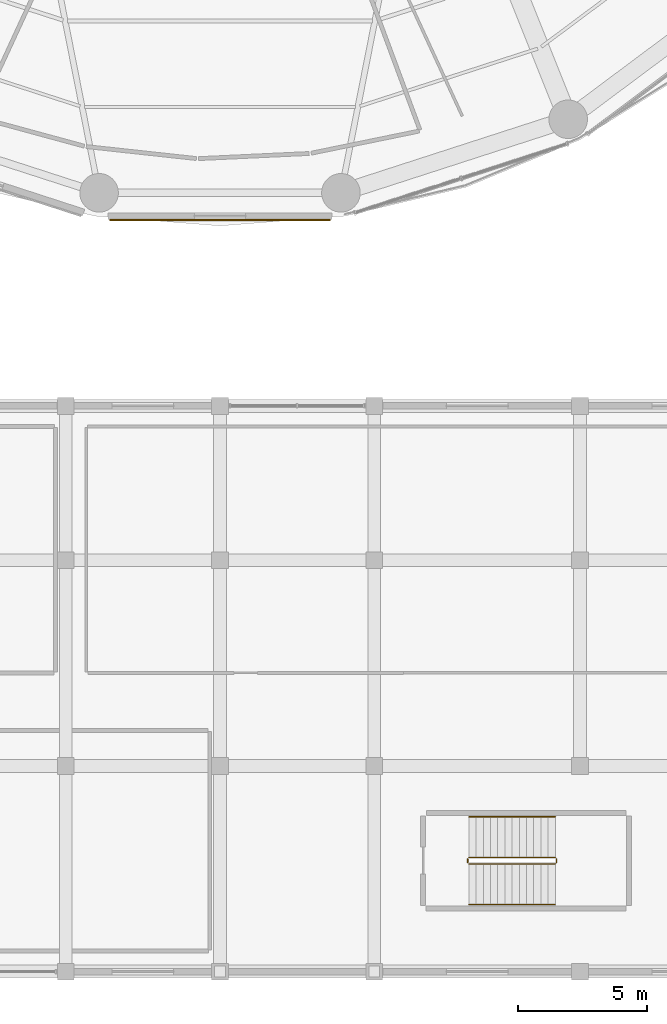
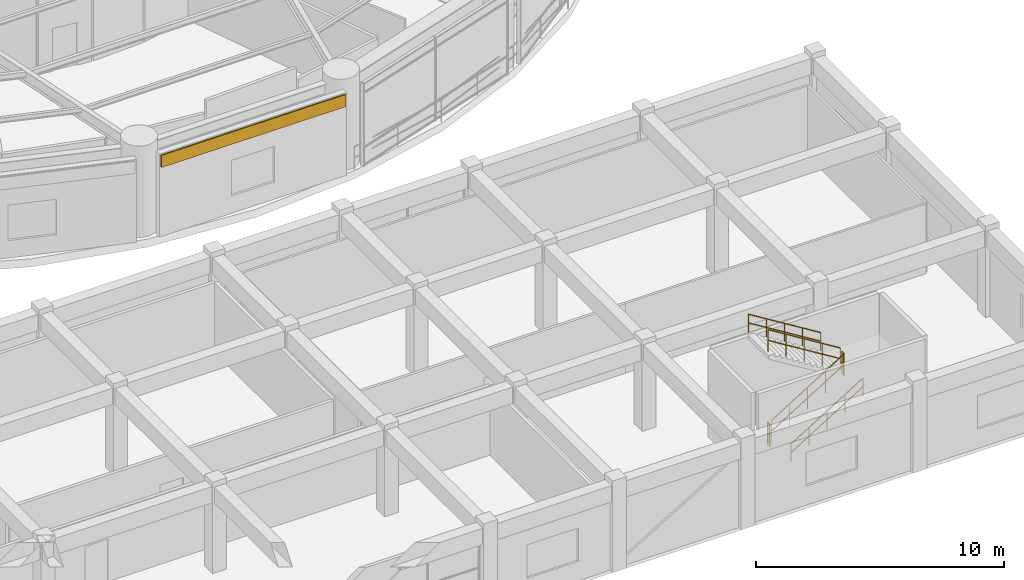
# One storey, part 48 of 52: 6 railings, 1 covering.
"""IFC4 building model written with IfcOpenShell, lengths in metres."""

from ifc_helpers import new_model, si_unit, direction, frame, origin, origin_2d, place, context, subcontext, project, spatial, polyline, rectangle, outline, extrude, source, transform, mapped, material, layer, layer_set, type_object, element, save


model = new_model("IFC4")

# Units and contexts
model_context = context("Model", 3, precision=1e-05, world=origin(), true_north=direction((0.0, 1.0)))
body_context = subcontext(model_context, "Body", "Model", "MODEL_VIEW")
ifc_project = project(units=[si_unit("LENGTHUNIT", "METRE"), si_unit("AREAUNIT", "SQUARE_METRE"), si_unit("VOLUMEUNIT", "CUBIC_METRE"), si_unit("PLANEANGLEUNIT", "RADIAN"), si_unit("MASSUNIT", "GRAM", prefix="KILO")], contexts=[model_context])

# Site, building, storey
site_placement = place(None, origin())
site = spatial("IfcSite", under=ifc_project, at=site_placement, CompositionType="ELEMENT")
building_placement = place(site_placement, origin())
building = spatial("IfcBuilding", under=site, at=building_placement, Name="Kelanora Arch Commons", CompositionType="ELEMENT")
storey_placement = place(building_placement, frame((0.0, 0.0, 13.5)))
storey = spatial("IfcBuildingStorey", under=building, at=storey_placement, Name="L03", CompositionType="ELEMENT", Elevation=13.5)

# Railings
ifc_material_1 = material(Name="Painted steel stair well guard", Category="steel")
railing_type_1 = type_object("IfcRailingType", Name="RAIL-STAIR-GRD", PredefinedType="GUARDRAIL", material=ifc_material_1)
railing_1_placement = place(storey_placement, frame((83.679931640625, 8.18994140625, 0.173095703125)))
element("IfcRailing", 1, at=railing_1_placement, inside=storey, type_object=railing_type_1, Name="L03 ST-M2 stair guard 1", PredefinedType="GUARDRAIL", context=body_context, shape_type="SweptSolid", body=[
    extrude(outline(polyline([(0.02392578125, 0.0), (0.011962890625, 0.020751953125), (-0.011962890625, 0.020751953125), (-0.02392578125, 0.0), (-0.011962890625, -0.020751953125), (0.011962890625, -0.020751953125), (0.02392578125, 0.0)])), frame((0.0, 0.0, 1.076171875), z_axis=(0.850623216509, 0.0, 0.525775754039), x_axis=(0.0, 1.0, 0.0)), (0.0, 0.0, 1.0), 3.9501953125),
    extrude(outline(polyline([(0.02392578125, 0.0), (0.011962890625, 0.020751953125), (-0.011962890625, 0.020751953125), (-0.02392578125, 0.0), (-0.011962890625, -0.020751953125), (0.011962890625, -0.020751953125), (0.02392578125, 0.0)])), frame((0.0, 0.0, 0.550048828125), z_axis=(0.850623216509, 0.0, 0.525775754039), x_axis=(0.0, 1.0, 0.0)), (0.0, 0.0, 1.0), 3.9501953125),
    extrude(outline(polyline([(0.02099609375, 0.0), (0.010498046875, 0.01806640625), (-0.010498046875, 0.01806640625), (-0.02099609375, 0.0), (-0.010498046875, -0.01806640625), (0.010498046875, -0.01806640625), (0.02099609375, 0.0)])), origin(), (0.0, 0.0, 1.0), 1.052001953125),
    extrude(outline(polyline([(0.02099609375, 0.0), (0.010498046875, 0.01806640625), (-0.010498046875, 0.01806640625), (-0.02099609375, 0.0), (-0.010498046875, -0.01806640625), (0.010498046875, -0.01806640625), (0.02099609375, 0.0)])), frame((0.840087890625, 0.0, 0.519287109375)), (0.0, 0.0, 1.0), 1.052001953125),
    extrude(outline(polyline([(0.02099609375, 0.0), (0.010498046875, 0.01806640625), (-0.010498046875, 0.01806640625), (-0.02099609375, 0.0), (-0.010498046875, -0.01806640625), (0.010498046875, -0.01806640625), (0.02099609375, 0.0)])), frame((1.68017578125, 0.0, 1.03857421875)), (0.0, 0.0, 1.0), 1.052001953125),
    extrude(outline(polyline([(0.02099609375, 0.0), (0.010498046875, 0.01806640625), (-0.010498046875, 0.01806640625), (-0.02099609375, 0.0), (-0.010498046875, -0.01806640625), (0.010498046875, -0.01806640625), (0.02099609375, 0.0)])), frame((2.52001953125, 0.0, 1.5576171875)), (0.0, 0.0, 1.0), 1.052001953125),
    extrude(outline(polyline([(0.02099609375, 0.0), (0.010498046875, 0.01806640625), (-0.010498046875, 0.01806640625), (-0.02099609375, 0.0), (-0.010498046875, -0.01806640625), (0.010498046875, -0.01806640625), (0.02099609375, 0.0)])), frame((3.360107421875, 0.0, 2.076904296875)), (0.0, 0.0, 1.0), 1.052001953125),
])
railing_2_placement = place(storey_placement, frame((87.090087890625, 8.239990234375, 2.25)))
element("IfcRailing", 2, at=railing_2_placement, inside=storey, type_object=railing_type_1, Name="L03 ST-M2 stair guard 2", PredefinedType="GUARDRAIL", context=body_context, shape_type="SweptSolid", body=[
    extrude(outline(polyline([(0.02392578125, 0.0), (0.011962890625, 0.020751953125), (-0.011962890625, 0.020751953125), (-0.02392578125, 0.0), (-0.011962890625, -0.020751953125), (0.011962890625, -0.020751953125), (0.02392578125, 0.0)])), frame((0.0, 0.0, 1.076171875), z_axis=(0.0, 1.0, 0.0), x_axis=(-1.0, 0.0, 0.0)), (0.0, 0.0, 1.0), 0.14990234375),
    extrude(outline(polyline([(0.02392578125, 0.0), (0.011962890625, 0.020751953125), (-0.011962890625, 0.020751953125), (-0.02392578125, 0.0), (-0.011962890625, -0.020751953125), (0.011962890625, -0.020751953125), (0.02392578125, 0.0)])), frame((0.0, 0.0, 0.550048828125), z_axis=(0.0, 1.0, 0.0), x_axis=(-1.0, 0.0, 0.0)), (0.0, 0.0, 1.0), 0.14990234375),
    extrude(outline(polyline([(0.02099609375, 0.0), (0.010498046875, 0.01806640625), (-0.010498046875, 0.01806640625), (-0.02099609375, 0.0), (-0.010498046875, -0.01806640625), (0.010498046875, -0.01806640625), (0.02099609375, 0.0)])), origin(), (0.0, 0.0, 1.0), 1.052001953125),
    extrude(outline(polyline([(0.02099609375, 0.0), (0.010498046875, 0.01806640625), (-0.010498046875, 0.01806640625), (-0.02099609375, 0.0), (-0.010498046875, -0.01806640625), (0.010498046875, -0.01806640625), (0.02099609375, 0.0)])), frame((0.0, 0.14990234375, 0.0)), (0.0, 0.0, 1.0), 1.052001953125),
])
railing_3_placement = place(storey_placement, frame((87.0400390625, 8.43994140625, 2.423095703125)))
element("IfcRailing", 3, at=railing_3_placement, inside=storey, type_object=railing_type_1, Name="L03 ST-M2 stair guard 3", PredefinedType="GUARDRAIL", context=body_context, shape_type="SweptSolid", body=[
    extrude(outline(polyline([(0.02392578125, 0.0), (0.011962890625, 0.020751953125), (-0.011962890625, 0.020751953125), (-0.02392578125, 0.0), (-0.011962890625, -0.020751953125), (0.011962890625, -0.020751953125), (0.02392578125, 0.0)])), frame((0.0, 0.0, 1.076171875), z_axis=(-0.850623216509, 0.0, 0.525775754039), x_axis=(0.0, -1.0, 0.0)), (0.0, 0.0, 1.0), 3.9501953125),
    extrude(outline(polyline([(0.02392578125, 0.0), (0.011962890625, 0.020751953125), (-0.011962890625, 0.020751953125), (-0.02392578125, 0.0), (-0.011962890625, -0.020751953125), (0.011962890625, -0.020751953125), (0.02392578125, 0.0)])), frame((0.0, 0.0, 0.550048828125), z_axis=(-0.850623216509, 0.0, 0.525775754039), x_axis=(0.0, -1.0, 0.0)), (0.0, 0.0, 1.0), 3.9501953125),
    extrude(outline(polyline([(0.02099609375, 0.0), (0.010498046875, 0.01806640625), (-0.010498046875, 0.01806640625), (-0.02099609375, 0.0), (-0.010498046875, -0.01806640625), (0.010498046875, -0.01806640625), (0.02099609375, 0.0)])), origin(), (0.0, 0.0, 1.0), 1.052001953125),
    extrude(outline(polyline([(0.02099609375, 0.0), (0.010498046875, 0.01806640625), (-0.010498046875, 0.01806640625), (-0.02099609375, 0.0), (-0.010498046875, -0.01806640625), (0.010498046875, -0.01806640625), (0.02099609375, 0.0)])), frame((-0.840087890625, 0.0, 0.519287109375)), (0.0, 0.0, 1.0), 1.052001953125),
    extrude(outline(polyline([(0.02099609375, 0.0), (0.010498046875, 0.01806640625), (-0.010498046875, 0.01806640625), (-0.02099609375, 0.0), (-0.010498046875, -0.01806640625), (0.010498046875, -0.01806640625), (0.02099609375, 0.0)])), frame((-1.68017578125, 0.0, 1.03857421875)), (0.0, 0.0, 1.0), 1.052001953125),
    extrude(outline(polyline([(0.02099609375, 0.0), (0.010498046875, 0.01806640625), (-0.010498046875, 0.01806640625), (-0.02099609375, 0.0), (-0.010498046875, -0.01806640625), (0.010498046875, -0.01806640625), (0.02099609375, 0.0)])), frame((-2.52001953125, 0.0, 1.5576171875)), (0.0, 0.0, 1.0), 1.052001953125),
    extrude(outline(polyline([(0.02099609375, 0.0), (0.010498046875, 0.01806640625), (-0.010498046875, 0.01806640625), (-0.02099609375, 0.0), (-0.010498046875, -0.01806640625), (0.010498046875, -0.01806640625), (0.02099609375, 0.0)])), frame((-3.360107421875, 0.0, 2.076904296875)), (0.0, 0.0, 1.0), 1.052001953125),
])
railing_4_placement = place(storey_placement, frame((83.6298828125, 8.239990234375, 0.0)))
element("IfcRailing", 4, at=railing_4_placement, inside=storey, type_object=railing_type_1, Name="L03 ST-M2 stair guard 4", PredefinedType="GUARDRAIL", context=body_context, shape_type="SweptSolid", body=[
    extrude(outline(polyline([(0.02392578125, 0.0), (0.011962890625, 0.020751953125), (-0.011962890625, 0.020751953125), (-0.02392578125, 0.0), (-0.011962890625, -0.020751953125), (0.011962890625, -0.020751953125), (0.02392578125, 0.0)])), frame((0.0, 0.0, 1.076171875), z_axis=(0.0, 1.0, 0.0), x_axis=(-1.0, 0.0, 0.0)), (0.0, 0.0, 1.0), 0.14990234375),
    extrude(outline(polyline([(0.02392578125, 0.0), (0.011962890625, 0.020751953125), (-0.011962890625, 0.020751953125), (-0.02392578125, 0.0), (-0.011962890625, -0.020751953125), (0.011962890625, -0.020751953125), (0.02392578125, 0.0)])), frame((0.0, 0.0, 0.550048828125), z_axis=(0.0, 1.0, 0.0), x_axis=(-1.0, 0.0, 0.0)), (0.0, 0.0, 1.0), 0.14990234375),
    extrude(outline(polyline([(0.02099609375, 0.0), (0.010498046875, 0.01806640625), (-0.010498046875, 0.01806640625), (-0.02099609375, 0.0), (-0.010498046875, -0.01806640625), (0.010498046875, -0.01806640625), (0.02099609375, 0.0)])), origin(), (0.0, 0.0, 1.0), 1.052001953125),
    extrude(outline(polyline([(0.02099609375, 0.0), (0.010498046875, 0.01806640625), (-0.010498046875, 0.01806640625), (-0.02099609375, 0.0), (-0.010498046875, -0.01806640625), (0.010498046875, -0.01806640625), (0.02099609375, 0.0)])), frame((0.0, 0.14990234375, 0.0)), (0.0, 0.0, 1.0), 1.052001953125),
])
ifc_material_2 = material(Name="Brushed stainless steel stair handrail", Category="steel")
railing_type_2 = type_object("IfcRailingType", Name="RAIL-STAIR-HND", PredefinedType="HANDRAIL", material=ifc_material_2)
railing_5_placement = place(storey_placement, frame((83.679931640625, 6.610107421875, 0.173095703125)))
element("IfcRailing", 5, at=railing_5_placement, inside=storey, type_object=railing_type_2, Name="L03 ST-M2 stair handrail 1", PredefinedType="HANDRAIL", context=body_context, shape_type="SweptSolid", body=[
    extrude(outline(polyline([(0.02392578125, 0.0), (0.011962890625, 0.020751953125), (-0.011962890625, 0.020751953125), (-0.02392578125, 0.0), (-0.011962890625, -0.020751953125), (0.011962890625, -0.020751953125), (0.02392578125, 0.0)])), frame((0.0, 0.0, 0.8759765625), z_axis=(0.850623216509, 0.0, 0.525775754039), x_axis=(0.0, 1.0, 0.0)), (0.0, 0.0, 1.0), 3.9501953125),
    extrude(outline(polyline([(0.02392578125, 0.0), (0.011962890625, 0.020751953125), (-0.011962890625, 0.020751953125), (-0.02392578125, 0.0), (-0.011962890625, -0.020751953125), (0.011962890625, -0.020751953125), (0.02392578125, 0.0)])), frame((0.0, 0.0, 0.449951171875), z_axis=(0.850623216509, 0.0, 0.525775754039), x_axis=(0.0, 1.0, 0.0)), (0.0, 0.0, 1.0), 3.9501953125),
    extrude(outline(polyline([(0.02099609375, 0.0), (0.010498046875, 0.01806640625), (-0.010498046875, 0.01806640625), (-0.02099609375, 0.0), (-0.010498046875, -0.01806640625), (0.010498046875, -0.01806640625), (0.02099609375, 0.0)])), origin(), (0.0, 0.0, 1.0), 0.851806640625),
    extrude(outline(polyline([(0.02099609375, 0.0), (0.010498046875, 0.01806640625), (-0.010498046875, 0.01806640625), (-0.02099609375, 0.0), (-0.010498046875, -0.01806640625), (0.010498046875, -0.01806640625), (0.02099609375, 0.0)])), frame((0.840087890625, 0.0, 0.519287109375)), (0.0, 0.0, 1.0), 0.851806640625),
    extrude(outline(polyline([(0.02099609375, 0.0), (0.010498046875, 0.01806640625), (-0.010498046875, 0.01806640625), (-0.02099609375, 0.0), (-0.010498046875, -0.01806640625), (0.010498046875, -0.01806640625), (0.02099609375, 0.0)])), frame((1.68017578125, 0.0, 1.03857421875)), (0.0, 0.0, 1.0), 0.851806640625),
    extrude(outline(polyline([(0.02099609375, 0.0), (0.010498046875, 0.01806640625), (-0.010498046875, 0.01806640625), (-0.02099609375, 0.0), (-0.010498046875, -0.01806640625), (0.010498046875, -0.01806640625), (0.02099609375, 0.0)])), frame((2.52001953125, 0.0, 1.5576171875)), (0.0, 0.0, 1.0), 0.851806640625),
    extrude(outline(polyline([(0.02099609375, 0.0), (0.010498046875, 0.01806640625), (-0.010498046875, 0.01806640625), (-0.02099609375, 0.0), (-0.010498046875, -0.01806640625), (0.010498046875, -0.01806640625), (0.02099609375, 0.0)])), frame((3.360107421875, 0.0, 2.076904296875)), (0.0, 0.0, 1.0), 0.851806640625),
])
railing_6_placement = place(storey_placement, frame((87.0400390625, 10.02001953125, 2.423095703125)))
element("IfcRailing", 6, at=railing_6_placement, inside=storey, type_object=railing_type_2, Name="L03 ST-M2 stair handrail 2", PredefinedType="HANDRAIL", context=body_context, shape_type="SweptSolid", body=[
    extrude(outline(polyline([(0.02392578125, 0.0), (0.011962890625, 0.020751953125), (-0.011962890625, 0.020751953125), (-0.02392578125, 0.0), (-0.011962890625, -0.020751953125), (0.011962890625, -0.020751953125), (0.02392578125, 0.0)])), frame((0.0, 0.0, 0.8759765625), z_axis=(-0.850623216509, 0.0, 0.525775754039), x_axis=(0.0, -1.0, 0.0)), (0.0, 0.0, 1.0), 3.9501953125),
    extrude(outline(polyline([(0.02392578125, 0.0), (0.011962890625, 0.020751953125), (-0.011962890625, 0.020751953125), (-0.02392578125, 0.0), (-0.011962890625, -0.020751953125), (0.011962890625, -0.020751953125), (0.02392578125, 0.0)])), frame((0.0, 0.0, 0.449951171875), z_axis=(-0.850623216509, 0.0, 0.525775754039), x_axis=(0.0, -1.0, 0.0)), (0.0, 0.0, 1.0), 3.9501953125),
    extrude(outline(polyline([(0.02099609375, 0.0), (0.010498046875, 0.01806640625), (-0.010498046875, 0.01806640625), (-0.02099609375, 0.0), (-0.010498046875, -0.01806640625), (0.010498046875, -0.01806640625), (0.02099609375, 0.0)])), origin(), (0.0, 0.0, 1.0), 0.851806640625),
    extrude(outline(polyline([(0.02099609375, 0.0), (0.010498046875, 0.01806640625), (-0.010498046875, 0.01806640625), (-0.02099609375, 0.0), (-0.010498046875, -0.01806640625), (0.010498046875, -0.01806640625), (0.02099609375, 0.0)])), frame((-0.840087890625, 0.0, 0.519287109375)), (0.0, 0.0, 1.0), 0.851806640625),
    extrude(outline(polyline([(0.02099609375, 0.0), (0.010498046875, 0.01806640625), (-0.010498046875, 0.01806640625), (-0.02099609375, 0.0), (-0.010498046875, -0.01806640625), (0.010498046875, -0.01806640625), (0.02099609375, 0.0)])), frame((-1.68017578125, 0.0, 1.03857421875)), (0.0, 0.0, 1.0), 0.851806640625),
    extrude(outline(polyline([(0.02099609375, 0.0), (0.010498046875, 0.01806640625), (-0.010498046875, 0.01806640625), (-0.02099609375, 0.0), (-0.010498046875, -0.01806640625), (0.010498046875, -0.01806640625), (0.02099609375, 0.0)])), frame((-2.52001953125, 0.0, 1.5576171875)), (0.0, 0.0, 1.0), 0.851806640625),
    extrude(outline(polyline([(0.02099609375, 0.0), (0.010498046875, 0.01806640625), (-0.010498046875, 0.01806640625), (-0.02099609375, 0.0), (-0.010498046875, -0.01806640625), (0.010498046875, -0.01806640625), (0.02099609375, 0.0)])), frame((-3.360107421875, 0.0, 2.076904296875)), (0.0, 0.0, 1.0), 0.851806640625),
])

# Covering
ifc_material_3 = material(Name="Glazed architectural terracotta spandrel cladding", Category="masonry")
ifc_layer = layer(ifc_material_3, 0.06005859375)
ifc_layer_set = layer_set([ifc_layer], Name="Glazed architectural terracotta spandrel cladding")
covering_type = type_object("IfcCoveringType", Name="COV-CLAD-TC", PredefinedType="CLADDING", material=ifc_layer_set)
shared_shape = source(origin(), body_context, "Body", "SweptSolid", [
    extrude(rectangle(XDim=8.591796875, YDim=0.06005859375, at=origin_2d()), origin(), (0.0, 0.0, 1.0), 0.60009765625),
])
covering_placement = place(storey_placement, frame((74.0, 33.2216796875, 3.43505859375), z_axis=(0.0, 0.0, 1.0), x_axis=(1.0, 0.0, 0.0)))
element("IfcCovering", 7, at=covering_placement, inside=storey, type_object=covering_type, Name="Terracotta Spandrel Cladding L03-B13", PredefinedType="CLADDING", context=body_context, shape_type="MappedRepresentation", body=[
    mapped(shared_shape, transform((0.0, 0.0, 0.0), scale=1.0)),
])

save(model, "model.ifc")
